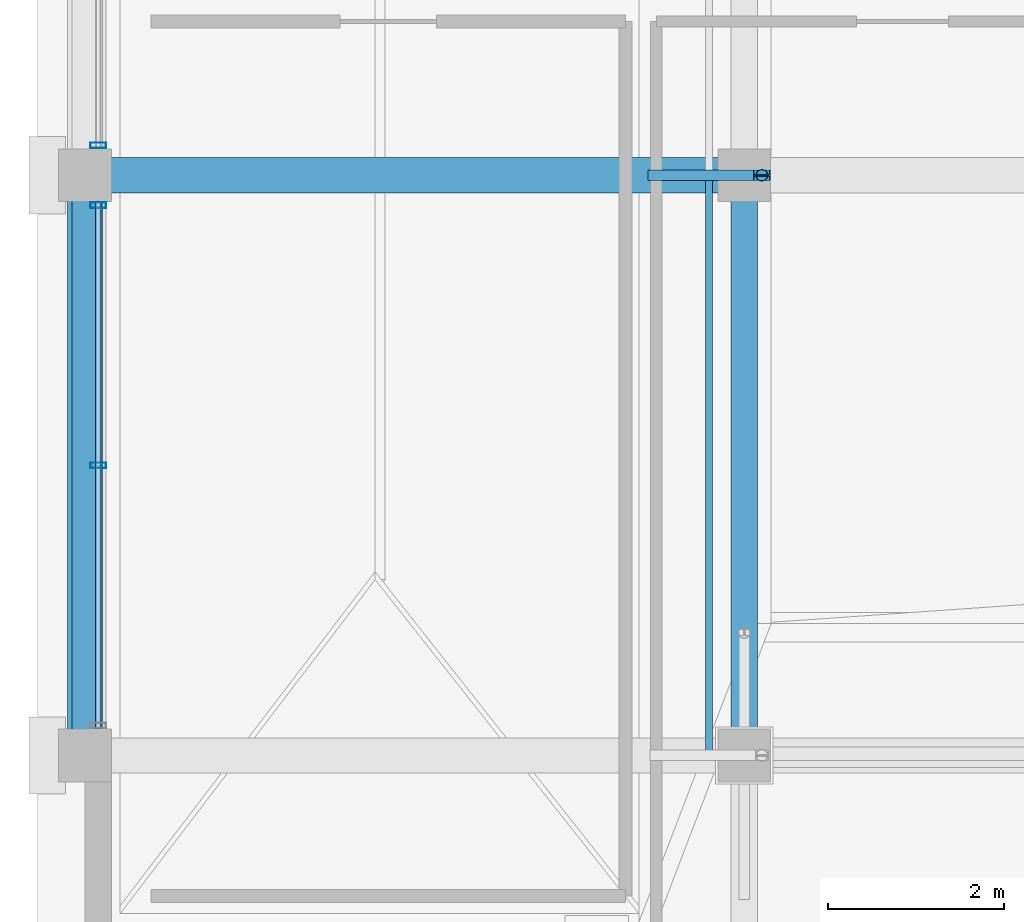
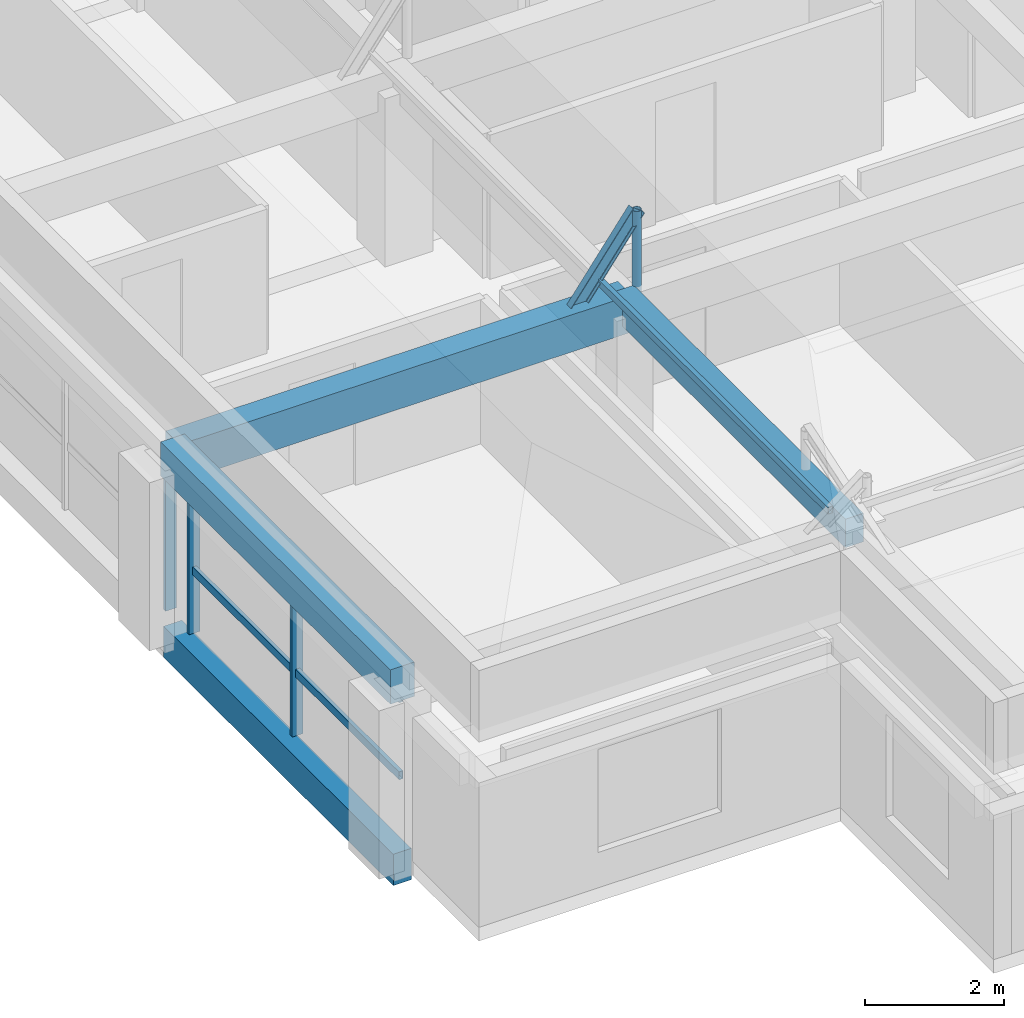
# One storey, part 4 of 39: 8 members, 4 beams, 2 elements without a shape of their own.
"""IFC4 building model written with IfcOpenShell, lengths in metres."""

from ifc_helpers import new_model, si_unit, direction, frame, origin, origin_2d, place, context, subcontext, project, spatial, rectangle, hollow_rectangle, hollow_circle, i_section, extrude, material, material_profile, profile_set, type_object, element, aggregate, save


model = new_model("IFC4")

# Units and contexts
model_context = context("Model", 3, precision=1e-05, world=origin(), true_north=direction((0.0, 1.0)))
body_context = subcontext(model_context, "Body", "Model", "MODEL_VIEW")
ifc_project = project(units=[si_unit("LENGTHUNIT", "METRE"), si_unit("AREAUNIT", "SQUARE_METRE"), si_unit("VOLUMEUNIT", "CUBIC_METRE"), si_unit("PLANEANGLEUNIT", "RADIAN"), si_unit("MASSUNIT", "GRAM", prefix="KILO")], contexts=[model_context])

# Site, building, storey
site_placement = place(None, origin())
site = spatial("IfcSite", under=ifc_project, at=site_placement, CompositionType="ELEMENT")
building_placement = place(site_placement, origin())
building = spatial("IfcBuilding", under=site, at=building_placement, Name="Akrevak Sports Hall", CompositionType="ELEMENT")
storey_placement = place(building_placement, frame((0.0, 0.0, 66.550048828125)))
storey = spatial("IfcBuildingStorey", under=building, at=storey_placement, Name="L17", CompositionType="ELEMENT", Elevation=66.550048828125)

# Curtain wall, member
ifc_material_1 = material(Name="Anodized Bronze Aluminium & Low-E Glass", Category="aluminium")
curtain_wall_type = type_object("IfcCurtainWallType", Name="ARC-CW-TWR-68x30", PredefinedType="NOTDEFINED", material=ifc_material_1)
curtain_wall_1_placement = place(storey_placement, origin())
curtain_wall_1 = element("IfcCurtainWall", 1, at=curtain_wall_1_placement, inside=storey, type_object=curtain_wall_type, Name="Curtain Wall CW-L17-W28", PredefinedType="NOTDEFINED")
ifc_material_2 = material(Name="Anodized Bronze Aluminium", Category="aluminium")
ifc_material_profile_1 = material_profile(ifc_material_2, hollow_rectangle(XDim=0.06494140625, YDim=0.179931640625, WallThickness=0.00390625, at=origin_2d()), Name="CWM 65x180", Category="aluminium")
ifc_profile_set_1 = profile_set([ifc_material_profile_1], Name="Anodized Bronze Aluminium")
member_type_1 = type_object("IfcMemberType", Name="ARC-CWM-65x140", PredefinedType="MULLION", material=ifc_profile_set_1)
member_1_placement = place(storey_placement, frame((52.64990234375, 48.93994140625, 0.0), z_axis=(0.0, 0.0, 1.0), x_axis=(0.0, -1.0, 0.0)))
member_1 = element("IfcMember", 2, at=member_1_placement, type_object=member_type_1, Name="Curtain Wall Mullion CW-L17-W28-M3", PredefinedType="MULLION", context=body_context, shape_type="SweptSolid", body=[
    extrude(hollow_rectangle(XDim=0.06494140625, YDim=0.179931640625, WallThickness=0.00390625, at=origin_2d()), origin(), (0.0, 0.0, 1.0), 2.530029296875),
])
aggregate(curtain_wall_1, [member_1])

# Curtain wall, members
curtain_wall_2_placement = place(storey_placement, origin())
curtain_wall_2 = element("IfcCurtainWall", 3, at=curtain_wall_2_placement, inside=storey, type_object=curtain_wall_type, Name="Curtain Wall CW-L17-W29", PredefinedType="NOTDEFINED")
member_2_placement = place(storey_placement, frame((52.64990234375, 48.260009765625, 0.0), z_axis=(0.0, 0.0, 1.0), x_axis=(0.0, -1.0, 0.0)))
member_2 = element("IfcMember", 4, at=member_2_placement, type_object=member_type_1, Name="Curtain Wall Mullion CW-L17-W29-M1", PredefinedType="MULLION", context=body_context, shape_type="SweptSolid", body=[
    extrude(hollow_rectangle(XDim=0.06494140625, YDim=0.179931640625, WallThickness=0.00390625, at=origin_2d()), origin(), (0.0, 0.0, 1.0), 2.530029296875),
])
member_3_placement = place(storey_placement, frame((52.64990234375, 45.300048828125, 0.0), z_axis=(0.0, 0.0, 1.0), x_axis=(0.0, -1.0, 0.0)))
member_3 = element("IfcMember", 5, at=member_3_placement, type_object=member_type_1, Name="Curtain Wall Mullion CW-L17-W29-M2", PredefinedType="MULLION", context=body_context, shape_type="SweptSolid", body=[
    extrude(hollow_rectangle(XDim=0.06494140625, YDim=0.179931640625, WallThickness=0.00390625, at=origin_2d()), origin(), (0.0, 0.0, 1.0), 2.530029296875),
])
ifc_material_profile_2 = material_profile(ifc_material_2, hollow_rectangle(XDim=0.06494140625, YDim=0.139892578125, WallThickness=0.00390625, at=origin_2d()), Name="CWT 65x140", Category="aluminium")
ifc_profile_set_2 = profile_set([ifc_material_profile_2], Name="Anodized Bronze Aluminium")
member_type_2 = type_object("IfcMemberType", Name="ARC-CWT-65x110", PredefinedType="USERDEFINED", material=ifc_profile_set_2)
member_4_placement = place(storey_placement, frame((52.64990234375, 48.300048828125, 1.099853515625), z_axis=(0.0, -1.0, 0.0), x_axis=(1.0, 0.0, 0.0)))
member_4 = element("IfcMember", 6, at=member_4_placement, type_object=member_type_2, Name="Curtain Wall Transom CW-L17-W29-T1", ObjectType="TRANSOM", PredefinedType="USERDEFINED", context=body_context, shape_type="SweptSolid", body=[
    extrude(hollow_rectangle(XDim=0.06494140625, YDim=0.139892578125, WallThickness=0.00390625, at=origin_2d()), origin(), (0.0, 0.0, 1.0), 6.0),
])
member_5_placement = place(storey_placement, frame((52.64990234375, 48.300048828125, 2.449951171875), z_axis=(0.0, -1.0, 0.0), x_axis=(1.0, 0.0, 0.0)))
member_5 = element("IfcMember", 7, at=member_5_placement, type_object=member_type_2, Name="Curtain Wall Transom CW-L17-W29-T2", ObjectType="TRANSOM", PredefinedType="USERDEFINED", context=body_context, shape_type="SweptSolid", body=[
    extrude(hollow_rectangle(XDim=0.06494140625, YDim=0.139892578125, WallThickness=0.00390625, at=origin_2d()), origin(), (0.0, 0.0, 1.0), 6.0),
])
aggregate(curtain_wall_2, [member_2, member_3, member_4, member_5])

# Beams
ifc_material_3 = material(Name="Concrete C40/50", Category="concrete")
ifc_material_profile_3 = material_profile(ifc_material_3, rectangle(XDim=0.300048828125, YDim=0.5, at=origin_2d()), Name="BM 300x500", Category="concrete")
ifc_profile_set_3 = profile_set([ifc_material_profile_3], Name="Concrete C40/50")
beam_type_1 = type_object("IfcBeamType", Name="STR-BM-RC300x500", PredefinedType="BEAM", material=ifc_profile_set_3)
beam_1_placement = place(storey_placement, frame((60.0, 42.0, 3.0), z_axis=(0.0, 1.0, 0.0), x_axis=(-1.0, 0.0, 0.0)))
element("IfcBeam", 8, at=beam_1_placement, inside=storey, type_object=beam_type_1, Name="Girder 9/G-H (ROOF)", PredefinedType="BEAM", context=body_context, shape_type="SweptSolid", body=[
    extrude(rectangle(XDim=0.300048828125, YDim=0.5, at=origin_2d()), origin(), (0.0, 0.0, 1.0), 6.60009765625),
])
ifc_material_profile_4 = material_profile(ifc_material_3, rectangle(XDim=0.300048828125, YDim=0.550048828125, at=origin_2d()), Name="BM 300x550", Category="concrete")
ifc_profile_set_4 = profile_set([ifc_material_profile_4], Name="Concrete C40/50")
beam_type_2 = type_object("IfcBeamType", Name="STR-BM-RC300x550", PredefinedType="BEAM", material=ifc_profile_set_4)
beam_2_placement = place(storey_placement, frame((52.5, 42.0, -0.275146484375), z_axis=(0.0, 1.0, 0.0), x_axis=(-1.0, 0.0, 0.0)))
element("IfcBeam", 9, at=beam_2_placement, inside=storey, type_object=beam_type_2, Name="Girder 8/G-H (L17)", PredefinedType="BEAM", context=body_context, shape_type="SweptSolid", body=[
    extrude(rectangle(XDim=0.300048828125, YDim=0.550048828125, at=origin_2d()), origin(), (0.0, 0.0, 1.0), 6.60009765625),
])
ifc_material_profile_5 = material_profile(ifc_material_3, rectangle(XDim=0.39990234375, YDim=0.60009765625, at=origin_2d()), Name="BM 400x600", Category="concrete")
ifc_profile_set_5 = profile_set([ifc_material_profile_5], Name="Concrete C40/50")
beam_type_3 = type_object("IfcBeamType", Name="STR-BM-RC400x600", PredefinedType="BEAM", material=ifc_profile_set_5)
beam_3_placement = place(storey_placement, frame((52.5, 42.0, 2.949951171875), z_axis=(0.0, 1.0, 0.0), x_axis=(-1.0, 0.0, 0.0)))
element("IfcBeam", 10, at=beam_3_placement, inside=storey, type_object=beam_type_3, Name="Girder 8/G-H (ROOF)", PredefinedType="BEAM", context=body_context, shape_type="SweptSolid", body=[
    extrude(rectangle(XDim=0.39990234375, YDim=0.60009765625, at=origin_2d()), origin(), (0.0, 0.0, 1.0), 6.60009765625),
])
ifc_material_profile_6 = material_profile(ifc_material_3, rectangle(XDim=0.39990234375, YDim=0.64990234375, at=origin_2d()), Name="BM 400x650", Category="concrete")
ifc_profile_set_6 = profile_set([ifc_material_profile_6], Name="Concrete C40/50")
beam_type_4 = type_object("IfcBeamType", Name="STR-BM-RC400x650", PredefinedType="BEAM", material=ifc_profile_set_6)
beam_4_placement = place(storey_placement, frame((52.5, 48.60009765625, 2.925048828125), z_axis=(1.0, 0.0, 0.0), x_axis=(0.0, 1.0, 0.0)))
element("IfcBeam", 11, at=beam_4_placement, inside=storey, type_object=beam_type_4, Name="Girder H/8-9 (ROOF)", PredefinedType="BEAM", context=body_context, shape_type="SweptSolid", body=[
    extrude(rectangle(XDim=0.39990234375, YDim=0.64990234375, at=origin_2d()), origin(), (0.0, 0.0, 1.0), 7.5),
])

# Members
ifc_material_4 = material(Name="Steel S355", Category="steel")
ifc_material_profile_7 = material_profile(ifc_material_4, hollow_circle(Radius=0.06982421875, WallThickness=0.008056640625, at=origin_2d()), Name="CHS 139.7x8", Category="steel")
ifc_profile_set_7 = profile_set([ifc_material_profile_7], Name="Steel S355")
member_type_3 = type_object("IfcMemberType", Name="STR-MEM-BRACE-CHS139", PredefinedType="BRACE", material=ifc_profile_set_7)
member_6_placement = place(storey_placement, frame((60.199951171875, 48.60009765625, 2.949951171875), z_axis=(0.0, 0.0, 1.0), x_axis=(1.0, 0.0, 0.0)))
element("IfcMember", 12, at=member_6_placement, inside=storey, type_object=member_type_3, Name="Mansard Knee Post MANS-W-W-48", PredefinedType="BRACE", context=body_context, shape_type="SweptSolid", body=[
    extrude(hollow_circle(Radius=0.06982421875, WallThickness=0.008056640625, at=origin_2d()), origin(), (0.0, 0.0, 1.0), 1.6201171875),
])
ifc_material_profile_8 = material_profile(ifc_material_4, hollow_rectangle(XDim=0.080078125, YDim=0.1201171875, WallThickness=0.00634765625, at=origin_2d()), Name="RHS 120x80x6.3", Category="steel")
ifc_profile_set_8 = profile_set([ifc_material_profile_8], Name="Steel S355")
member_type_4 = type_object("IfcMemberType", Name="STR-MEM-PUR-RHS120", PredefinedType="PURLIN", material=ifc_profile_set_8)
member_7_placement = place(storey_placement, frame((59.60009765625, 42.0, 3.5), z_axis=(0.0, 1.0, 0.0), x_axis=(-1.0, 0.0, 0.0)))
element("IfcMember", 13, at=member_7_placement, inside=storey, type_object=member_type_4, Name="Mansard Steel Purlin MANS-W-W-A", PredefinedType="PURLIN", context=body_context, shape_type="SweptSolid", body=[
    extrude(hollow_rectangle(XDim=0.080078125, YDim=0.1201171875, WallThickness=0.00634765625, at=origin_2d()), origin(), (0.0, 0.0, 1.0), 6.60009765625),
])
ifc_material_profile_9 = material_profile(ifc_material_4, i_section(OverallWidth=0.1201171875, OverallDepth=0.239990234375, WebThickness=0.006103515625, FlangeThickness=0.009765625, FilletRadius=0.014892578125, at=origin_2d()), Name="IPE 240", Category="steel")
ifc_profile_set_9 = profile_set([ifc_material_profile_9], Name="Steel S355")
member_type_5 = type_object("IfcMemberType", Name="STR-MEM-RAF-IPE240", PredefinedType="RAFTER", material=ifc_profile_set_9)
member_8_placement = place(storey_placement, frame((59.0, 48.60009765625, 2.949951171875), z_axis=(0.595184109849, 0.0, 0.803589369879), x_axis=(0.0, 1.0, 0.0)))
element("IfcMember", 14, at=member_8_placement, inside=storey, type_object=member_type_5, Name="Mansard Steel Rafter MANS-W-W-48", PredefinedType="RAFTER", context=body_context, shape_type="SweptSolid", body=[
    extrude(i_section(OverallWidth=0.1201171875, OverallDepth=0.239990234375, WebThickness=0.006103515625, FlangeThickness=0.009765625, FilletRadius=0.014892578125, at=origin_2d()), origin(), (0.0, 0.0, 1.0), 2.01611328125),
])

save(model, "model.ifc")
